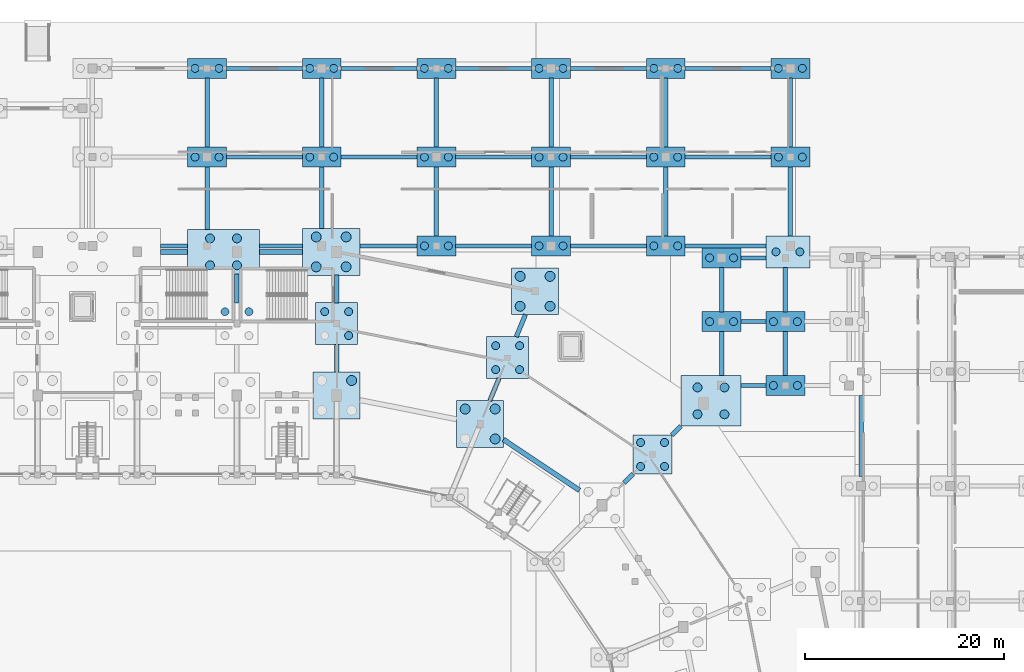
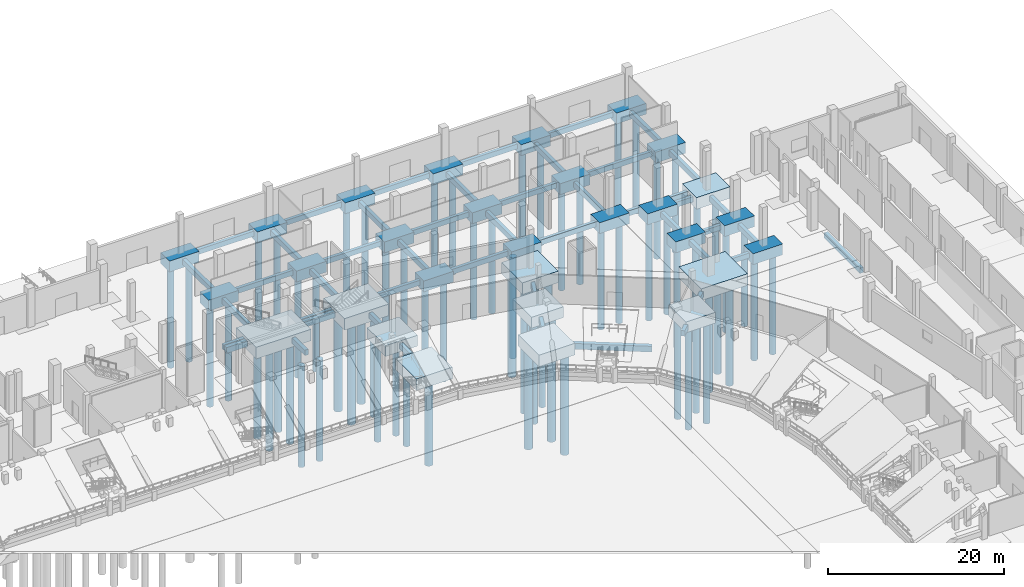
# One storey, part 12 of 68: 75 footings, 73 piles.
"""IFC4 building model written with IfcOpenShell, lengths in metres."""

from ifc_helpers import new_model, si_unit, direction, frame, origin, origin_2d, place, context, subcontext, project, spatial, rectangle, circle, extrude, material, material_profile, profile_set, type_object, element, save


model = new_model("IFC4")

# Units and contexts
model_context = context("Model", 3, precision=1e-05, world=origin(), true_north=direction((0.0, 1.0)))
body_context = subcontext(model_context, "Body", "Model", "MODEL_VIEW")
ifc_project = project(units=[si_unit("LENGTHUNIT", "METRE"), si_unit("AREAUNIT", "SQUARE_METRE"), si_unit("VOLUMEUNIT", "CUBIC_METRE"), si_unit("PLANEANGLEUNIT", "RADIAN"), si_unit("MASSUNIT", "GRAM", prefix="KILO")], contexts=[model_context])

# Site, building, storey
site_placement = place(None, origin())
site = spatial("IfcSite", under=ifc_project, at=site_placement, CompositionType="ELEMENT")
building_placement = place(site_placement, origin())
building = spatial("IfcBuilding", under=site, at=building_placement, Name="Candeia Ridge Stadium", CompositionType="ELEMENT")
storey_placement = place(building_placement, origin())
storey = spatial("IfcBuildingStorey", under=building, at=storey_placement, Name="L00", CompositionType="ELEMENT", Elevation=0.0)

# Piles
ifc_material = material(Name="Concrete C40/50", Category="concrete")
ifc_material_profile_1 = material_profile(ifc_material, circle(Radius=0.5, at=origin_2d()), Name="PILE-D1000", Category="concrete")
ifc_profile_set_1 = profile_set([ifc_material_profile_1], Name="Concrete C40/50")
pile_type_1 = type_object("IfcPileType", Name="Bored Concrete Pile D1000", PredefinedType="BORED", material=ifc_profile_set_1)
for number, where, z_axis, x_axis, name in (
    (1, (142.5, 134.10009765625, -1.39990234375), (0.0, 0.0, -1.0), (1.0, 0.0, 0.0), "Bored concrete foundation pile PILE-0006"),
    (2, (138.949951171875, 145.5, -1.39990234375), (0.0, 0.0, -1.0), (1.0, 0.0, 0.0), "Bored concrete foundation pile PILE-0011"),
    (3, (141.949951171875, 145.5, -1.39990234375), (0.0, 0.0, -1.0), (1.0, 0.0, 0.0), "Bored concrete foundation pile PILE-0012"),
    (4, (138.949951171875, 148.5, -1.39990234375), (0.0, 0.0, -1.0), (1.0, 0.0, 0.0), "Bored concrete foundation pile PILE-0013"),
    (5, (141.949951171875, 148.5, -1.39990234375), (0.0, 0.0, -1.0), (1.0, 0.0, 0.0), "Bored concrete foundation pile PILE-0014"),
    (6, (156.888916015625, 128.23779296875, -1.39990234375), (0.0, 0.0, -1.0), (1.0, 0.0, 0.0), "Bored concrete foundation pile PILE-0482"),
    (7, (153.888916015625, 131.23779296875, -1.39990234375), (0.0, 0.0, -1.0), (1.0, 0.0, 0.0), "Bored concrete foundation pile PILE-0483"),
    (8, (156.888916015625, 131.23779296875, -1.39990234375), (0.0, 0.0, -1.0), (1.0, 0.0, 0.0), "Bored concrete foundation pile PILE-0484"),
    (9, (159.3994140625, 141.541748046875, -1.39990234375), (0.0, 0.0, -1.0), (1.0, 0.0, 0.0), "Bored concrete foundation pile PILE-0489"),
    (10, (162.3994140625, 141.541748046875, -1.39990234375), (0.0, 0.0, -1.0), (1.0, 0.0, 0.0), "Bored concrete foundation pile PILE-0490"),
    (11, (159.3994140625, 144.541748046875, -1.39990234375), (0.0, 0.0, -1.0), (1.0, 0.0, 0.0), "Bored concrete foundation pile PILE-0491"),
    (12, (162.3994140625, 144.541748046875, -1.39990234375), (0.0, 0.0, -1.0), (1.0, 0.0, 0.0), "Bored concrete foundation pile PILE-0492"),
):
    element("IfcPile", number, at=place(storey_placement, frame(where, z_axis=z_axis, x_axis=x_axis)), inside=storey, type_object=pile_type_1, Name=name, PredefinedType="BORED", context=body_context, shape_type="SweptSolid", body=[
        extrude(circle(Radius=0.5, at=origin_2d()), origin(), (0.0, 0.0, 1.0), 14.0),
    ])
ifc_material_profile_2 = material_profile(ifc_material, circle(Radius=0.39990234375, at=origin_2d()), Name="PILE-D800", Category="concrete")
ifc_profile_set_2 = profile_set([ifc_material_profile_2], Name="Concrete C40/50")
pile_type_2 = type_object("IfcPileType", Name="Bored Concrete Pile D800", PredefinedType="BORED", material=ifc_profile_set_2)
for number, where, z_axis, x_axis, name in (
    (13, (142.199951171875, 138.60009765625, -1.39990234375), (0.0, 0.0, -1.0), (1.0, 0.0, 0.0), "Bored concrete foundation pile PILE-0008"),
    (14, (139.800048828125, 141.0, -1.39990234375), (0.0, 0.0, -1.0), (1.0, 0.0, 0.0), "Bored concrete foundation pile PILE-0009"),
    (15, (142.199951171875, 141.0, -1.39990234375), (0.0, 0.0, -1.0), (1.0, 0.0, 0.0), "Bored concrete foundation pile PILE-0010"),
    (16, (129.800048828125, 141.0, -1.39990234375), (0.0, 0.0, -1.0), (1.0, 0.0, 0.0), "Bored concrete foundation pile PILE-0023"),
    (17, (132.199951171875, 141.0, -1.39990234375), (0.0, 0.0, -1.0), (1.0, 0.0, 0.0), "Bored concrete foundation pile PILE-0024"),
    (18, (171.478515625, 125.478515625, -1.39990234375), (0.0, 0.0, -1.0), (1.0, 0.0, 0.0), "Bored concrete foundation pile PILE-0471"),
    (19, (173.87841796875, 125.478515625, -1.39990234375), (0.0, 0.0, -1.0), (1.0, 0.0, 0.0), "Bored concrete foundation pile PILE-0472"),
    (20, (171.478515625, 127.87841796875, -1.39990234375), (0.0, 0.0, -1.0), (1.0, 0.0, 0.0), "Bored concrete foundation pile PILE-0473"),
    (21, (173.87841796875, 127.87841796875, -1.39990234375), (0.0, 0.0, -1.0), (1.0, 0.0, 0.0), "Bored concrete foundation pile PILE-0474"),
    (22, (156.944091796875, 135.189697265625, -1.39990234375), (0.0, 0.0, -1.0), (1.0, 0.0, 0.0), "Bored concrete foundation pile PILE-0485"),
    (23, (159.34423828125, 135.189697265625, -1.39990234375), (0.0, 0.0, -1.0), (1.0, 0.0, 0.0), "Bored concrete foundation pile PILE-0486"),
    (24, (156.944091796875, 137.58984375, -1.39990234375), (0.0, 0.0, -1.0), (1.0, 0.0, 0.0), "Bored concrete foundation pile PILE-0487"),
    (25, (159.34423828125, 137.58984375, -1.39990234375), (0.0, 0.0, -1.0), (1.0, 0.0, 0.0), "Bored concrete foundation pile PILE-0488"),
    (26, (126.800048828125, 156.5, -1.39990234375), (0.0, 0.0, -1.0), (1.0, 0.0, 0.0), "Bored concrete foundation pile PILE-0849"),
    (27, (129.199951171875, 156.5, -1.39990234375), (0.0, 0.0, -1.0), (1.0, 0.0, 0.0), "Bored concrete foundation pile PILE-0850"),
    (28, (126.800048828125, 165.39990234375, -1.39990234375), (0.0, 0.0, -1.0), (1.0, 0.0, 0.0), "Bored concrete foundation pile PILE-0851"),
    (29, (129.199951171875, 165.39990234375, -1.39990234375), (0.0, 0.0, -1.0), (1.0, 0.0, 0.0), "Bored concrete foundation pile PILE-0852"),
    (30, (138.300048828125, 156.5, -1.39990234375), (0.0, 0.0, -1.0), (1.0, 0.0, 0.0), "Bored concrete foundation pile PILE-0853"),
    (31, (140.699951171875, 156.5, -1.39990234375), (0.0, 0.0, -1.0), (1.0, 0.0, 0.0), "Bored concrete foundation pile PILE-0854"),
    (32, (138.300048828125, 165.39990234375, -1.39990234375), (0.0, 0.0, -1.0), (1.0, 0.0, 0.0), "Bored concrete foundation pile PILE-0855"),
    (33, (140.699951171875, 165.39990234375, -1.39990234375), (0.0, 0.0, -1.0), (1.0, 0.0, 0.0), "Bored concrete foundation pile PILE-0856"),
    (34, (149.800048828125, 147.60009765625, -1.39990234375), (0.0, 0.0, -1.0), (1.0, 0.0, 0.0), "Bored concrete foundation pile PILE-0857"),
    (35, (152.199951171875, 147.60009765625, -1.39990234375), (0.0, 0.0, -1.0), (1.0, 0.0, 0.0), "Bored concrete foundation pile PILE-0858"),
    (36, (149.800048828125, 156.5, -1.39990234375), (0.0, 0.0, -1.0), (1.0, 0.0, 0.0), "Bored concrete foundation pile PILE-0859"),
    (37, (152.199951171875, 156.5, -1.39990234375), (0.0, 0.0, -1.0), (1.0, 0.0, 0.0), "Bored concrete foundation pile PILE-0860"),
    (38, (149.800048828125, 165.39990234375, -1.39990234375), (0.0, 0.0, -1.0), (1.0, 0.0, 0.0), "Bored concrete foundation pile PILE-0861"),
    (39, (152.199951171875, 165.39990234375, -1.39990234375), (0.0, 0.0, -1.0), (1.0, 0.0, 0.0), "Bored concrete foundation pile PILE-0862"),
    (40, (161.300048828125, 147.60009765625, -1.39990234375), (0.0, 0.0, -1.0), (1.0, 0.0, 0.0), "Bored concrete foundation pile PILE-0863"),
    (41, (163.699951171875, 147.60009765625, -1.39990234375), (0.0, 0.0, -1.0), (1.0, 0.0, 0.0), "Bored concrete foundation pile PILE-0864"),
    (42, (161.300048828125, 156.5, -1.39990234375), (0.0, 0.0, -1.0), (1.0, 0.0, 0.0), "Bored concrete foundation pile PILE-0865"),
    (43, (163.699951171875, 156.5, -1.39990234375), (0.0, 0.0, -1.0), (1.0, 0.0, 0.0), "Bored concrete foundation pile PILE-0866"),
    (44, (161.300048828125, 165.39990234375, -1.39990234375), (0.0, 0.0, -1.0), (1.0, 0.0, 0.0), "Bored concrete foundation pile PILE-0867"),
    (45, (163.699951171875, 165.39990234375, -1.39990234375), (0.0, 0.0, -1.0), (1.0, 0.0, 0.0), "Bored concrete foundation pile PILE-0868"),
    (46, (172.800048828125, 147.60009765625, -1.39990234375), (0.0, 0.0, -1.0), (1.0, 0.0, 0.0), "Bored concrete foundation pile PILE-0869"),
    (47, (175.199951171875, 147.60009765625, -1.39990234375), (0.0, 0.0, -1.0), (1.0, 0.0, 0.0), "Bored concrete foundation pile PILE-0870"),
    (48, (172.800048828125, 156.5, -1.39990234375), (0.0, 0.0, -1.0), (1.0, 0.0, 0.0), "Bored concrete foundation pile PILE-0871"),
    (49, (175.199951171875, 156.5, -1.39990234375), (0.0, 0.0, -1.0), (1.0, 0.0, 0.0), "Bored concrete foundation pile PILE-0872"),
    (50, (172.800048828125, 165.39990234375, -1.39990234375), (0.0, 0.0, -1.0), (1.0, 0.0, 0.0), "Bored concrete foundation pile PILE-0873"),
    (51, (175.199951171875, 165.39990234375, -1.39990234375), (0.0, 0.0, -1.0), (1.0, 0.0, 0.0), "Bored concrete foundation pile PILE-0874"),
    (52, (185.050048828125, 147.0, -1.39990234375), (0.0, 0.0, -1.0), (1.0, 0.0, 0.0), "Bored concrete foundation pile PILE-0875"),
    (53, (187.449951171875, 147.0, -1.39990234375), (0.0, 0.0, -1.0), (1.0, 0.0, 0.0), "Bored concrete foundation pile PILE-0876"),
    (54, (185.300048828125, 156.5, -1.39990234375), (0.0, 0.0, -1.0), (1.0, 0.0, 0.0), "Bored concrete foundation pile PILE-0877"),
    (55, (187.699951171875, 156.5, -1.39990234375), (0.0, 0.0, -1.0), (1.0, 0.0, 0.0), "Bored concrete foundation pile PILE-0878"),
    (56, (185.300048828125, 165.39990234375, -1.39990234375), (0.0, 0.0, -1.0), (1.0, 0.0, 0.0), "Bored concrete foundation pile PILE-0879"),
    (57, (187.699951171875, 165.39990234375, -1.39990234375), (0.0, 0.0, -1.0), (1.0, 0.0, 0.0), "Bored concrete foundation pile PILE-0880"),
    (58, (178.39990234375, 140.0, -1.39990234375), (0.0, 0.0, -1.0), (1.0, 0.0, 0.0), "Bored concrete foundation pile PILE-0915"),
    (59, (180.800048828125, 140.0, -1.39990234375), (0.0, 0.0, -1.0), (1.0, 0.0, 0.0), "Bored concrete foundation pile PILE-0916"),
    (60, (178.39990234375, 146.39990234375, -1.39990234375), (0.0, 0.0, -1.0), (1.0, 0.0, 0.0), "Bored concrete foundation pile PILE-0917"),
    (61, (180.800048828125, 146.39990234375, -1.39990234375), (0.0, 0.0, -1.0), (1.0, 0.0, 0.0), "Bored concrete foundation pile PILE-0918"),
    (62, (184.800048828125, 133.60009765625, -1.39990234375), (0.0, 0.0, -1.0), (1.0, 0.0, 0.0), "Bored concrete foundation pile PILE-0919"),
    (63, (187.199951171875, 133.60009765625, -1.39990234375), (0.0, 0.0, -1.0), (1.0, 0.0, 0.0), "Bored concrete foundation pile PILE-0920"),
    (64, (184.800048828125, 140.0, -1.39990234375), (0.0, 0.0, -1.0), (1.0, 0.0, 0.0), "Bored concrete foundation pile PILE-0921"),
    (65, (187.199951171875, 140.0, -1.39990234375), (0.0, 0.0, -1.0), (1.0, 0.0, 0.0), "Bored concrete foundation pile PILE-0922"),
):
    element("IfcPile", number, at=place(storey_placement, frame(where, z_axis=z_axis, x_axis=x_axis)), inside=storey, type_object=pile_type_2, Name=name, PredefinedType="BORED", context=body_context, shape_type="SweptSolid", body=[
        extrude(circle(Radius=0.39990234375, at=origin_2d()), origin(), (0.0, 0.0, 1.0), 14.0),
    ])
ifc_material_profile_3 = material_profile(ifc_material, circle(Radius=0.449951171875, at=origin_2d()), Name="PILE-D900", Category="concrete")
ifc_profile_set_3 = profile_set([ifc_material_profile_3], Name="Concrete C40/50")
pile_type_3 = type_object("IfcPileType", Name="Bored Concrete Pile D900", PredefinedType="BORED", material=ifc_profile_set_3)
for number, where, z_axis, x_axis, name in (
    (66, (128.300048828125, 145.64990234375, -1.39990234375), (0.0, 0.0, -1.0), (1.0, 0.0, 0.0), "Bored concrete foundation pile PILE-0025"),
    (67, (131.0, 145.64990234375, -1.39990234375), (0.0, 0.0, -1.0), (1.0, 0.0, 0.0), "Bored concrete foundation pile PILE-0026"),
    (68, (128.300048828125, 148.35009765625, -1.39990234375), (0.0, 0.0, -1.0), (1.0, 0.0, 0.0), "Bored concrete foundation pile PILE-0027"),
    (69, (131.0, 148.35009765625, -1.39990234375), (0.0, 0.0, -1.0), (1.0, 0.0, 0.0), "Bored concrete foundation pile PILE-0028"),
    (70, (177.184814453125, 130.709716796875, -1.39990234375), (0.0, 0.0, -1.0), (1.0, 0.0, 0.0), "Bored concrete foundation pile PILE-0475"),
    (71, (179.884765625, 130.709716796875, -1.39990234375), (0.0, 0.0, -1.0), (1.0, 0.0, 0.0), "Bored concrete foundation pile PILE-0476"),
    (72, (177.184814453125, 133.409912109375, -1.39990234375), (0.0, 0.0, -1.0), (1.0, 0.0, 0.0), "Bored concrete foundation pile PILE-0477"),
    (73, (179.884765625, 133.409912109375, -1.39990234375), (0.0, 0.0, -1.0), (1.0, 0.0, 0.0), "Bored concrete foundation pile PILE-0478"),
):
    element("IfcPile", number, at=place(storey_placement, frame(where, z_axis=z_axis, x_axis=x_axis)), inside=storey, type_object=pile_type_3, Name=name, PredefinedType="BORED", context=body_context, shape_type="SweptSolid", body=[
        extrude(circle(Radius=0.449951171875, at=origin_2d()), origin(), (0.0, 0.0, 1.0), 14.0),
    ])

# Footings
footing_type_1 = type_object("IfcFootingType", Name="Ground Tie Beam 400x700", PredefinedType="FOOTING_BEAM", material=ifc_material)
footing_1_placement = place(storey_placement, frame((124.699951171875, 147.60009765625, -1.0498046875), z_axis=(0.0, 0.0, 1.0), x_axis=(1.0, 0.0, 0.0)))
element("IfcFooting", 74, at=footing_1_placement, inside=storey, type_object=footing_type_1, Name="Ground tie beam GTB-0399", PredefinedType="FOOTING_BEAM", context=body_context, shape_type="SweptSolid", body=[
    extrude(rectangle(XDim=2.719970703125, YDim=0.39990234375, at=origin_2d()), origin(), (0.0, 0.0, 1.0), 0.699951171875),
])
footing_2_placement = place(storey_placement, frame((135.39990234375, 147.60009765625, -1.0498046875), z_axis=(0.0, 0.0, 1.0), x_axis=(1.0, 0.0, 0.0)))
element("IfcFooting", 75, at=footing_2_placement, inside=storey, type_object=footing_type_1, Name="Ground tie beam GTB-0404", PredefinedType="FOOTING_BEAM", context=body_context, shape_type="SweptSolid", body=[
    extrude(rectangle(XDim=4.320068359375, YDim=0.39990234375, at=origin_2d()), origin(), (0.0, 0.0, 1.0), 0.699951171875),
])
for number, where, z_axis, x_axis, name in (
    (76, (133.75, 156.5, -1.0498046875), (0.0, 0.0, 1.0), (1.0, 0.0, 0.0), "Ground tie beam GTB-0406"),
    (77, (133.75, 165.39990234375, -1.0498046875), (0.0, 0.0, 1.0), (1.0, 0.0, 0.0), "Ground tie beam GTB-0407"),
):
    element("IfcFooting", number, at=place(storey_placement, frame(where, z_axis=z_axis, x_axis=x_axis)), inside=storey, type_object=footing_type_1, Name=name, PredefinedType="FOOTING_BEAM", context=body_context, shape_type="SweptSolid", body=[
        extrude(rectangle(XDim=7.6201171875, YDim=0.39990234375, at=origin_2d()), origin(), (0.0, 0.0, 1.0), 0.699951171875),
    ])
footing_3_placement = place(storey_placement, frame((146.199951171875, 147.60009765625, -1.0498046875), z_axis=(0.0, 0.0, 1.0), x_axis=(1.0, 0.0, 0.0)))
element("IfcFooting", 78, at=footing_3_placement, inside=storey, type_object=footing_type_1, Name="Ground tie beam GTB-0409", PredefinedType="FOOTING_BEAM", context=body_context, shape_type="SweptSolid", body=[
    extrude(rectangle(XDim=5.719970703125, YDim=0.39990234375, at=origin_2d()), origin(), (0.0, 0.0, 1.0), 0.699951171875),
])
for number, where, z_axis, x_axis, name in (
    (79, (145.25, 156.5, -1.0498046875), (0.0, 0.0, 1.0), (1.0, 0.0, 0.0), "Ground tie beam GTB-0411"),
    (80, (145.25, 165.39990234375, -1.0498046875), (0.0, 0.0, 1.0), (1.0, 0.0, 0.0), "Ground tie beam GTB-0412"),
    (81, (156.75, 147.60009765625, -1.0498046875), (0.0, 0.0, 1.0), (1.0, 0.0, 0.0), "Ground tie beam GTB-0414"),
    (82, (156.75, 156.5, -1.0498046875), (0.0, 0.0, 1.0), (1.0, 0.0, 0.0), "Ground tie beam GTB-0416"),
    (83, (156.75, 165.39990234375, -1.0498046875), (0.0, 0.0, 1.0), (1.0, 0.0, 0.0), "Ground tie beam GTB-0417"),
    (84, (168.25, 147.60009765625, -1.0498046875), (0.0, 0.0, 1.0), (1.0, 0.0, 0.0), "Ground tie beam GTB-0419"),
    (85, (168.25, 156.5, -1.0498046875), (0.0, 0.0, 1.0), (1.0, 0.0, 0.0), "Ground tie beam GTB-0421"),
    (86, (168.25, 165.39990234375, -1.0498046875), (0.0, 0.0, 1.0), (1.0, 0.0, 0.0), "Ground tie beam GTB-0422"),
):
    element("IfcFooting", number, at=place(storey_placement, frame(where, z_axis=z_axis, x_axis=x_axis)), inside=storey, type_object=footing_type_1, Name=name, PredefinedType="FOOTING_BEAM", context=body_context, shape_type="SweptSolid", body=[
        extrude(rectangle(XDim=7.6201171875, YDim=0.39990234375, at=origin_2d()), origin(), (0.0, 0.0, 1.0), 0.699951171875),
    ])
footing_4_placement = place(storey_placement, frame((180.0, 147.60009765625, -1.0498046875), z_axis=(0.0, 0.0, 1.0), x_axis=(1.0, 0.0, 0.0)))
element("IfcFooting", 87, at=footing_4_placement, inside=storey, type_object=footing_type_1, Name="Ground tie beam GTB-0424", PredefinedType="FOOTING_BEAM", context=body_context, shape_type="SweptSolid", body=[
    extrude(rectangle(XDim=8.1201171875, YDim=0.39990234375, at=origin_2d()), origin(), (0.0, 0.0, 1.0), 0.699951171875),
])
for number, where, z_axis, x_axis, name in (
    (88, (180.25, 156.5, -1.0498046875), (0.0, 0.0, 1.0), (1.0, 0.0, 0.0), "Ground tie beam GTB-0426"),
    (89, (180.25, 165.39990234375, -1.0498046875), (0.0, 0.0, 1.0), (1.0, 0.0, 0.0), "Ground tie beam GTB-0427"),
):
    element("IfcFooting", number, at=place(storey_placement, frame(where, z_axis=z_axis, x_axis=x_axis)), inside=storey, type_object=footing_type_1, Name=name, PredefinedType="FOOTING_BEAM", context=body_context, shape_type="SweptSolid", body=[
        extrude(rectangle(XDim=8.6201171875, YDim=0.39990234375, at=origin_2d()), origin(), (0.0, 0.0, 1.0), 0.699951171875),
    ])
for number, where, z_axis, x_axis, name in (
    (90, (182.800048828125, 133.60009765625, -1.0498046875), (0.0, 0.0, 1.0), (1.0, 0.0, 0.0), "Ground tie beam GTB-0474"),
    (91, (182.800048828125, 140.0, -1.0498046875), (0.0, 0.0, 1.0), (1.0, 0.0, 0.0), "Ground tie beam GTB-0476"),
    (92, (182.800048828125, 146.39990234375, -1.0498046875), (0.0, 0.0, 1.0), (1.0, 0.0, 0.0), "Ground tie beam GTB-0477"),
):
    element("IfcFooting", number, at=place(storey_placement, frame(where, z_axis=z_axis, x_axis=x_axis)), inside=storey, type_object=footing_type_1, Name=name, PredefinedType="FOOTING_BEAM", context=body_context, shape_type="SweptSolid", body=[
        extrude(rectangle(XDim=2.52001953125, YDim=0.39990234375, at=origin_2d()), origin(), (0.0, 0.0, 1.0), 0.699951171875),
    ])
footing_type_2 = type_object("IfcFootingType", Name="Ground Tie Beam 450x750", PredefinedType="FOOTING_BEAM", material=ifc_material)
for number, where, z_axis, x_axis, name in (
    (93, (141.0, 136.324951171875, -1.074951171875), (0.0, 0.0, 1.0), (0.0, 1.0, 0.0), "Ground tie beam GTB-0004"),
    (94, (141.0, 143.27490234375, -1.074951171875), (0.0, 0.0, 1.0), (0.0, 1.0, 0.0), "Ground tie beam GTB-0005"),
):
    element("IfcFooting", number, at=place(storey_placement, frame(where, z_axis=z_axis, x_axis=x_axis)), inside=storey, type_object=footing_type_2, Name=name, PredefinedType="FOOTING_BEAM", context=body_context, shape_type="SweptSolid", body=[
        extrude(rectangle(XDim=2.77001953125, YDim=0.449951171875, at=origin_2d()), origin(), (0.0, 0.0, 1.0), 0.75),
    ])
footing_5_placement = place(storey_placement, frame((131.0, 143.324951171875, -1.074951171875), z_axis=(0.0, 0.0, 1.0), x_axis=(0.0, 1.0, 0.0)))
element("IfcFooting", 95, at=footing_5_placement, inside=storey, type_object=footing_type_2, Name="Ground tie beam GTB-0010", PredefinedType="FOOTING_BEAM", context=body_context, shape_type="SweptSolid", body=[
    extrude(rectangle(XDim=2.8701171875, YDim=0.449951171875, at=origin_2d()), origin(), (0.0, 0.0, 1.0), 0.75),
])
footing_6_placement = place(storey_placement, frame((170.28271484375, 124.28271484375, -1.074951171875), z_axis=(0.0, 0.0, 1.0), x_axis=(0.707106781187, 0.707106781187, 0.0)))
element("IfcFooting", 96, at=footing_6_placement, inside=storey, type_object=footing_type_2, Name="Ground tie beam GTB-0154", PredefinedType="FOOTING_BEAM", context=body_context, shape_type="SweptSolid", body=[
    extrude(rectangle(XDim=1.280517578125, YDim=0.449951171875, at=origin_2d()), origin(), (0.0, 0.0, 1.0), 0.75),
])
footing_7_placement = place(storey_placement, frame((175.073974609375, 129.073974609375, -1.074951171875), z_axis=(0.0, 0.0, 1.0), x_axis=(0.707106781187, 0.707106781187, 0.0)))
element("IfcFooting", 97, at=footing_7_placement, inside=storey, type_object=footing_type_2, Name="Ground tie beam GTB-0155", PredefinedType="FOOTING_BEAM", context=body_context, shape_type="SweptSolid", body=[
    extrude(rectangle(XDim=1.2802734375, YDim=0.449951171875, at=origin_2d()), origin(), (0.0, 0.0, 1.0), 0.75),
])
for number, where, z_axis, x_axis, name in (
    (98, (156.818359375, 133.188720703125, -1.074951171875), (0.0, 0.0, 1.0), (0.382676402483, 0.923882444352, 0.0), "Ground tie beam GTB-0158"),
    (99, (159.47021484375, 139.5908203125, -1.074951171875), (0.0, 0.0, 1.0), (0.382711917213, 0.923867733186, 0.0), "Ground tie beam GTB-0159"),
):
    element("IfcFooting", number, at=place(storey_placement, frame(where, z_axis=z_axis, x_axis=x_axis)), inside=storey, type_object=footing_type_2, Name=name, PredefinedType="FOOTING_BEAM", context=body_context, shape_type="SweptSolid", body=[
        extrude(rectangle(XDim=2.4033203125, YDim=0.449951171875, at=origin_2d()), origin(), (0.0, 0.0, 1.0), 0.75),
    ])
footing_8_placement = place(storey_placement, frame((193.60009765625, 128.550048828125, -1.074951171875), z_axis=(0.0, 0.0, 1.0), x_axis=(0.0, 1.0, 0.0)))
element("IfcFooting", 100, at=footing_8_placement, inside=storey, type_object=footing_type_2, Name="Ground tie beam GTB-0250", PredefinedType="FOOTING_BEAM", context=body_context, shape_type="SweptSolid", body=[
    extrude(rectangle(XDim=8.1201171875, YDim=0.449951171875, at=origin_2d()), origin(), (0.0, 0.0, 1.0), 0.75),
])
footing_9_placement = place(storey_placement, frame((128.0, 152.375, -1.074951171875), z_axis=(0.0, 0.0, 1.0), x_axis=(0.0, 1.0, 0.0)))
element("IfcFooting", 101, at=footing_9_placement, inside=storey, type_object=footing_type_2, Name="Ground tie beam GTB-0403", PredefinedType="FOOTING_BEAM", context=body_context, shape_type="SweptSolid", body=[
    extrude(rectangle(XDim=6.27001953125, YDim=0.449951171875, at=origin_2d()), origin(), (0.0, 0.0, 1.0), 0.75),
])
footing_10_placement = place(storey_placement, frame((128.0, 160.949951171875, -1.074951171875), z_axis=(0.0, 0.0, 1.0), x_axis=(0.0, 1.0, 0.0)))
element("IfcFooting", 102, at=footing_10_placement, inside=storey, type_object=footing_type_2, Name="Ground tie beam GTB-0405", PredefinedType="FOOTING_BEAM", context=body_context, shape_type="SweptSolid", body=[
    extrude(rectangle(XDim=6.919921875, YDim=0.449951171875, at=origin_2d()), origin(), (0.0, 0.0, 1.0), 0.75),
])
footing_11_placement = place(storey_placement, frame((139.5, 152.425048828125, -1.074951171875), z_axis=(0.0, 0.0, 1.0), x_axis=(0.0, 1.0, 0.0)))
element("IfcFooting", 103, at=footing_11_placement, inside=storey, type_object=footing_type_2, Name="Ground tie beam GTB-0408", PredefinedType="FOOTING_BEAM", context=body_context, shape_type="SweptSolid", body=[
    extrude(rectangle(XDim=6.169921875, YDim=0.449951171875, at=origin_2d()), origin(), (0.0, 0.0, 1.0), 0.75),
])
for number, where, z_axis, x_axis, name in (
    (104, (139.5, 160.949951171875, -1.074951171875), (0.0, 0.0, 1.0), (0.0, 1.0, 0.0), "Ground tie beam GTB-0410"),
    (105, (151.0, 152.050048828125, -1.074951171875), (0.0, 0.0, 1.0), (0.0, 1.0, 0.0), "Ground tie beam GTB-0413"),
    (106, (151.0, 160.949951171875, -1.074951171875), (0.0, 0.0, 1.0), (0.0, 1.0, 0.0), "Ground tie beam GTB-0415"),
    (107, (162.5, 152.050048828125, -1.074951171875), (0.0, 0.0, 1.0), (0.0, 1.0, 0.0), "Ground tie beam GTB-0418"),
    (108, (162.5, 160.949951171875, -1.074951171875), (0.0, 0.0, 1.0), (0.0, 1.0, 0.0), "Ground tie beam GTB-0420"),
    (109, (174.0, 152.050048828125, -1.074951171875), (0.0, 0.0, 1.0), (0.0, 1.0, 0.0), "Ground tie beam GTB-0423"),
    (110, (174.0, 160.949951171875, -1.074951171875), (0.0, 0.0, 1.0), (0.0, 1.0, 0.0), "Ground tie beam GTB-0425"),
    (111, (186.5, 152.050048828125, -1.074951171875), (0.0, 0.0, 1.0), (0.0, 1.0, 0.0), "Ground tie beam GTB-0428"),
    (112, (186.5, 160.949951171875, -1.074951171875), (0.0, 0.0, 1.0), (0.0, 1.0, 0.0), "Ground tie beam GTB-0429"),
):
    element("IfcFooting", number, at=place(storey_placement, frame(where, z_axis=z_axis, x_axis=x_axis)), inside=storey, type_object=footing_type_2, Name=name, PredefinedType="FOOTING_BEAM", context=body_context, shape_type="SweptSolid", body=[
        extrude(rectangle(XDim=6.919921875, YDim=0.449951171875, at=origin_2d()), origin(), (0.0, 0.0, 1.0), 0.75),
    ])
for number, where, z_axis, x_axis, name in (
    (113, (179.60009765625, 136.800048828125, -1.074951171875), (0.0, 0.0, 1.0), (0.0, 1.0, 0.0), "Ground tie beam GTB-0473"),
    (114, (179.60009765625, 143.199951171875, -1.074951171875), (0.0, 0.0, 1.0), (0.0, 1.0, 0.0), "Ground tie beam GTB-0475"),
    (115, (186.0, 136.800048828125, -1.074951171875), (0.0, 0.0, 1.0), (0.0, 1.0, 0.0), "Ground tie beam GTB-0478"),
    (116, (186.0, 143.199951171875, -1.074951171875), (0.0, 0.0, 1.0), (0.0, 1.0, 0.0), "Ground tie beam GTB-0480"),
):
    element("IfcFooting", number, at=place(storey_placement, frame(where, z_axis=z_axis, x_axis=x_axis)), inside=storey, type_object=footing_type_2, Name=name, PredefinedType="FOOTING_BEAM", context=body_context, shape_type="SweptSolid", body=[
        extrude(rectangle(XDim=4.419921875, YDim=0.449951171875, at=origin_2d()), origin(), (0.0, 0.0, 1.0), 0.75),
    ])
footing_type_3 = type_object("IfcFootingType", Name="Ground Tie Beam 500x800", PredefinedType="FOOTING_BEAM", material=ifc_material)
footing_12_placement = place(storey_placement, frame((135.39990234375, 147.0, -1.10009765625), z_axis=(0.0, 0.0, 1.0), x_axis=(-1.0, 0.0, 0.0)))
element("IfcFooting", 117, at=footing_12_placement, inside=storey, type_object=footing_type_3, Name="Ground tie beam GTB-0002", PredefinedType="FOOTING_BEAM", context=body_context, shape_type="SweptSolid", body=[
    extrude(rectangle(XDim=4.320068359375, YDim=0.5, at=origin_2d()), origin(), (0.0, 0.0, 1.0), 0.800048828125),
])
footing_13_placement = place(storey_placement, frame((124.699951171875, 147.0, -1.10009765625), z_axis=(0.0, 0.0, 1.0), x_axis=(-1.0, 0.0, 0.0)))
element("IfcFooting", 118, at=footing_13_placement, inside=storey, type_object=footing_type_3, Name="Ground tie beam GTB-0007", PredefinedType="FOOTING_BEAM", context=body_context, shape_type="SweptSolid", body=[
    extrude(rectangle(XDim=2.719970703125, YDim=0.5, at=origin_2d()), origin(), (0.0, 0.0, 1.0), 0.800048828125),
])
footing_14_placement = place(storey_placement, frame((161.5380859375, 125.629150390625, -1.10009765625), z_axis=(0.0, 0.0, 1.0), x_axis=(-0.831470293726, 0.555569213197, 0.0)))
element("IfcFooting", 119, at=footing_14_placement, inside=storey, type_object=footing_type_3, Name="Ground tie beam GTB-0152", PredefinedType="FOOTING_BEAM", context=body_context, shape_type="SweptSolid", body=[
    extrude(rectangle(XDim=9.158447265625, YDim=0.5, at=origin_2d()), origin(), (0.0, 0.0, 1.0), 0.800048828125),
])
footing_type_4 = type_object("IfcFootingType", Name="Pile Cap 3900x2000x1500", PredefinedType="PILE_CAP", material=ifc_material)
for number, where, z_axis, x_axis, name in (
    (120, (128.0, 156.5, -1.5), (0.0, 0.0, 1.0), (1.0, 0.0, 0.0), "Reinforced concrete pile cap CAP-280"),
    (121, (128.0, 165.39990234375, -1.5), (0.0, 0.0, 1.0), (1.0, 0.0, 0.0), "Reinforced concrete pile cap CAP-281"),
    (122, (139.5, 156.5, -1.5), (0.0, 0.0, 1.0), (1.0, 0.0, 0.0), "Reinforced concrete pile cap CAP-282"),
    (123, (139.5, 165.39990234375, -1.5), (0.0, 0.0, 1.0), (1.0, 0.0, 0.0), "Reinforced concrete pile cap CAP-283"),
    (124, (151.0, 147.60009765625, -1.5), (0.0, 0.0, 1.0), (1.0, 0.0, 0.0), "Reinforced concrete pile cap CAP-284"),
    (125, (151.0, 156.5, -1.5), (0.0, 0.0, 1.0), (1.0, 0.0, 0.0), "Reinforced concrete pile cap CAP-285"),
    (126, (151.0, 165.39990234375, -1.5), (0.0, 0.0, 1.0), (1.0, 0.0, 0.0), "Reinforced concrete pile cap CAP-286"),
    (127, (162.5, 147.60009765625, -1.5), (0.0, 0.0, 1.0), (1.0, 0.0, 0.0), "Reinforced concrete pile cap CAP-287"),
    (128, (162.5, 156.5, -1.5), (0.0, 0.0, 1.0), (1.0, 0.0, 0.0), "Reinforced concrete pile cap CAP-288"),
    (129, (162.5, 165.39990234375, -1.5), (0.0, 0.0, 1.0), (1.0, 0.0, 0.0), "Reinforced concrete pile cap CAP-289"),
    (130, (174.0, 147.60009765625, -1.5), (0.0, 0.0, 1.0), (1.0, 0.0, 0.0), "Reinforced concrete pile cap CAP-290"),
    (131, (174.0, 156.5, -1.5), (0.0, 0.0, 1.0), (1.0, 0.0, 0.0), "Reinforced concrete pile cap CAP-291"),
    (132, (174.0, 165.39990234375, -1.5), (0.0, 0.0, 1.0), (1.0, 0.0, 0.0), "Reinforced concrete pile cap CAP-292"),
    (133, (186.5, 156.5, -1.5), (0.0, 0.0, 1.0), (1.0, 0.0, 0.0), "Reinforced concrete pile cap CAP-294"),
    (134, (186.5, 165.39990234375, -1.5), (0.0, 0.0, 1.0), (1.0, 0.0, 0.0), "Reinforced concrete pile cap CAP-295"),
    (135, (179.60009765625, 140.0, -1.5), (0.0, 0.0, 1.0), (1.0, 0.0, 0.0), "Reinforced concrete pile cap CAP-313"),
    (136, (179.60009765625, 146.39990234375, -1.5), (0.0, 0.0, 1.0), (1.0, 0.0, 0.0), "Reinforced concrete pile cap CAP-314"),
    (137, (186.0, 133.60009765625, -1.5), (0.0, 0.0, 1.0), (1.0, 0.0, 0.0), "Reinforced concrete pile cap CAP-315"),
    (138, (186.0, 140.0, -1.5), (0.0, 0.0, 1.0), (1.0, 0.0, 0.0), "Reinforced concrete pile cap CAP-316"),
):
    element("IfcFooting", number, at=place(storey_placement, frame(where, z_axis=z_axis, x_axis=x_axis)), inside=storey, type_object=footing_type_4, Name=name, PredefinedType="PILE_CAP", context=body_context, shape_type="SweptSolid", body=[
        extrude(rectangle(XDim=3.89990234375, YDim=2.0, at=origin_2d()), origin(), (0.0, 0.0, 1.0), 1.5),
    ])
footing_type_5 = type_object("IfcFootingType", Name="Pile Cap 3900x3900x1500", PredefinedType="PILE_CAP", material=ifc_material)
footing_15_placement = place(storey_placement, frame((172.678466796875, 126.678466796875, -1.5), z_axis=(0.0, 0.0, 1.0), x_axis=(1.0, 0.0, 0.0)))
element("IfcFooting", 139, at=footing_15_placement, inside=storey, type_object=footing_type_5, Name="Reinforced concrete pile cap CAP-136", PredefinedType="PILE_CAP", context=body_context, shape_type="SweptSolid", body=[
    extrude(rectangle(XDim=3.89990234375, YDim=3.89990234375, at=origin_2d()), origin(), (0.0, 0.0, 1.0), 1.5),
])
footing_type_6 = type_object("IfcFootingType", Name="Pile Cap 4200x4200x1500", PredefinedType="PILE_CAP", material=ifc_material)
for number, where, z_axis, x_axis, name in (
    (140, (141.0, 139.800048828125, -1.5), (0.0, 0.0, 1.0), (1.0, 0.0, 0.0), "Reinforced concrete pile cap CAP-003"),
    (141, (158.144287109375, 136.389892578125, -1.5), (0.0, 0.0, 1.0), (1.0, 0.0, 0.0), "Reinforced concrete pile cap CAP-140"),
):
    element("IfcFooting", number, at=place(storey_placement, frame(where, z_axis=z_axis, x_axis=x_axis)), inside=storey, type_object=footing_type_6, Name=name, PredefinedType="PILE_CAP", context=body_context, shape_type="SweptSolid", body=[
        extrude(rectangle(XDim=4.199951171875, YDim=4.199951171875, at=origin_2d()), origin(), (0.0, 0.0, 1.0), 1.5),
    ])
footing_type_7 = type_object("IfcFootingType", Name="Pile Cap 4700x4700x1600", PredefinedType="PILE_CAP", material=ifc_material)
for number, where, z_axis, x_axis, name in (
    (142, (141.0, 132.60009765625, -1.60009765625), (0.0, 0.0, 1.0), (1.0, 0.0, 0.0), "Reinforced concrete pile cap CAP-002"),
    (143, (155.388916015625, 129.73779296875, -1.60009765625), (0.0, 0.0, 1.0), (1.0, 0.0, 0.0), "Reinforced concrete pile cap CAP-139"),
    (144, (160.899658203125, 143.041748046875, -1.60009765625), (0.0, 0.0, 1.0), (1.0, 0.0, 0.0), "Reinforced concrete pile cap CAP-141"),
):
    element("IfcFooting", number, at=place(storey_placement, frame(where, z_axis=z_axis, x_axis=x_axis)), inside=storey, type_object=footing_type_7, Name=name, PredefinedType="PILE_CAP", context=body_context, shape_type="SweptSolid", body=[
        extrude(rectangle(XDim=4.699951171875, YDim=4.699951171875, at=origin_2d()), origin(), (0.0, 0.0, 1.0), 1.60009765625),
    ])
footing_type_8 = type_object("IfcFootingType", Name="Pile Cap 5400x4200x1600", PredefinedType="PILE_CAP", material=ifc_material)
footing_16_placement = place(storey_placement, frame((186.25, 147.0, -1.60009765625), z_axis=(0.0, 0.0, 1.0), x_axis=(1.0, 0.0, 0.0)))
element("IfcFooting", 145, at=footing_16_placement, inside=storey, type_object=footing_type_8, Name="Reinforced concrete pile cap CAP-293", PredefinedType="PILE_CAP", context=body_context, shape_type="SweptSolid", body=[
    extrude(rectangle(XDim=4.39990234375, YDim=3.199951171875, at=origin_2d()), origin(), (0.0, 0.0, 1.0), 1.60009765625),
])
footing_type_9 = type_object("IfcFootingType", Name="Pile Cap 6200x4400x1600", PredefinedType="PILE_CAP", material=ifc_material)
footing_17_placement = place(storey_placement, frame((140.449951171875, 147.0, -1.60009765625), z_axis=(0.0, 0.0, 1.0), x_axis=(1.0, 0.0, 0.0)))
element("IfcFooting", 146, at=footing_17_placement, inside=storey, type_object=footing_type_9, Name="Reinforced concrete pile cap CAP-004", PredefinedType="PILE_CAP", context=body_context, shape_type="SweptSolid", body=[
    extrude(rectangle(XDim=5.800048828125, YDim=4.699951171875, at=origin_2d()), origin(), (0.0, 0.0, 1.0), 1.60009765625),
])
footing_18_placement = place(storey_placement, frame((129.64990234375, 147.0, -1.60009765625), z_axis=(0.0, 0.0, 1.0), x_axis=(1.0, 0.0, 0.0)))
element("IfcFooting", 147, at=footing_18_placement, inside=storey, type_object=footing_type_9, Name="Reinforced concrete pile cap CAP-008", PredefinedType="PILE_CAP", context=body_context, shape_type="SweptSolid", body=[
    extrude(rectangle(XDim=7.199951171875, YDim=4.5, at=origin_2d()), origin(), (0.0, 0.0, 1.0), 1.60009765625),
])
footing_19_placement = place(storey_placement, frame((178.53466796875, 132.059814453125, -1.60009765625), z_axis=(0.0, 0.0, 1.0), x_axis=(1.0, 0.0, 0.0)))
element("IfcFooting", 148, at=footing_19_placement, inside=storey, type_object=footing_type_9, Name="Reinforced concrete pile cap CAP-137", PredefinedType="PILE_CAP", context=body_context, shape_type="SweptSolid", body=[
    extrude(rectangle(XDim=6.030517578125, YDim=5.080322265625, at=origin_2d()), origin(), (0.0, 0.0, 1.0), 1.60009765625),
])

save(model, "model.ifc")
